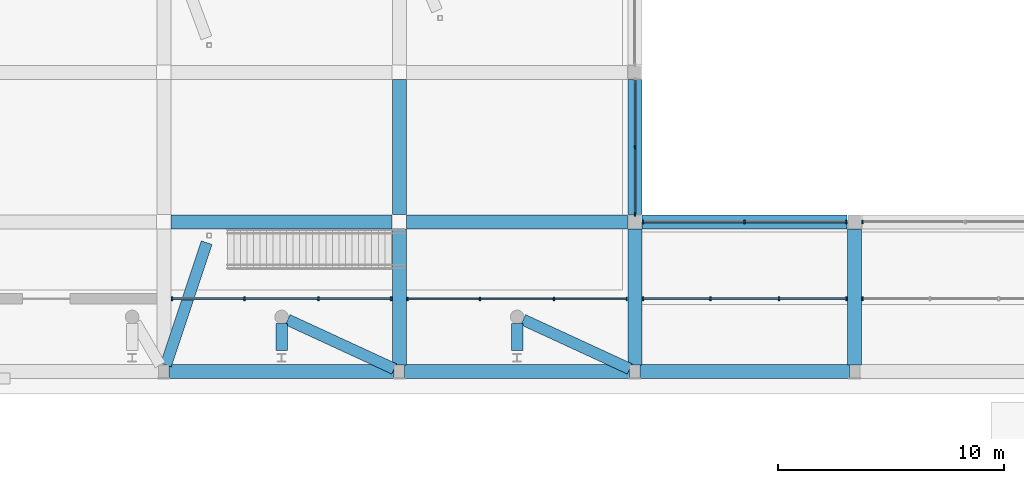
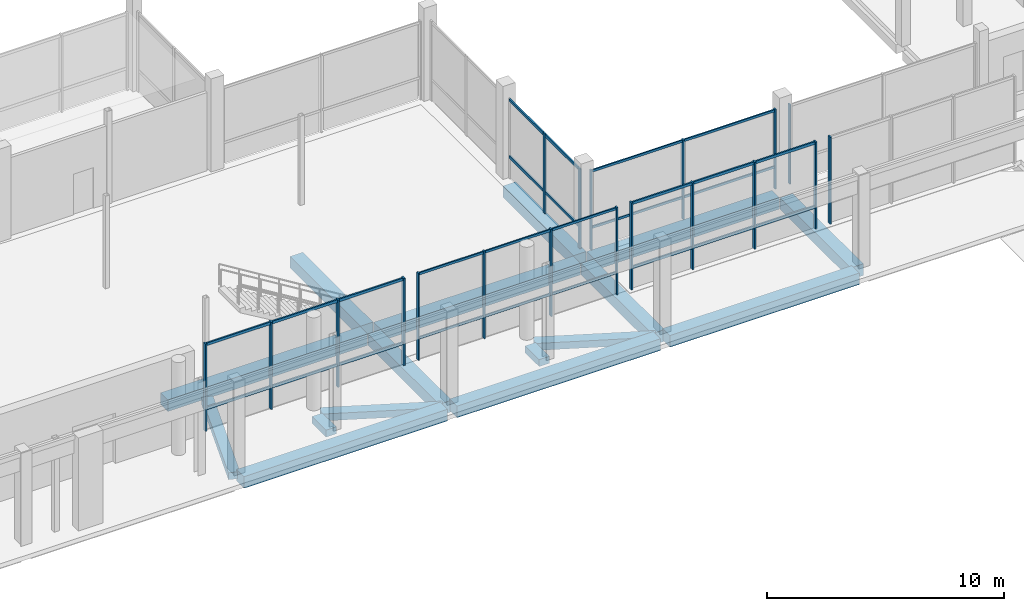
# One storey, part 29 of 88: 29 members, 16 beams, 7 elements without a shape of their own.
"""IFC4 building model written with IfcOpenShell, lengths in metres."""

import ifcopenshell
import ifcopenshell.guid

model = None  # the IFC model being written
_history = None  # IfcOwnerHistory: only IFC2X3 demands one
_inside = {}  # id of a spatial element -> (the spatial element, [elements in it])
_under = {}  # id of a project, library or spatial element -> (it, [spatial elements below it])
_declared = {}  # id of a project -> (the project, [libraries it declares])
_typed = {}  # id of a type object -> (the type object, [elements of that type])
_made_of = {}  # id of a material, layer set ... -> (it, [elements and type objects made of it])


def new_model(schema):
    """Start an empty IFC model of exactly this schema.

    Asked for "IFC4X3", IfcOpenShell would pick the latest addendum, in which some entities
    have other attributes; the version numbers below select the first issue.
    IFC2X3 requires an IfcOwnerHistory on every rooted entity: one is made here for all.
    """
    global model, _history
    if schema == "IFC4X3":
        model = ifcopenshell.file(schema_version=(4, 3, 0, 0))
    else:
        model = ifcopenshell.file(schema=schema)
    _inside.clear()
    _under.clear()
    _declared.clear()
    _typed.clear()
    _made_of.clear()
    _history = None
    if model.schema == "IFC2X3":
        org = make("IfcOrganization", Name="unknown")
        user = make(
            "IfcPersonAndOrganization",
            ThePerson=make("IfcPerson", FamilyName="unknown"),
            TheOrganization=org,
        )
        app = make(
            "IfcApplication",
            ApplicationDeveloper=org,
            Version="unknown",
            ApplicationFullName="unknown",
            ApplicationIdentifier="unknown",
        )
        _history = make(
            "IfcOwnerHistory",
            OwningUser=user,
            OwningApplication=app,
            ChangeAction="ADDED",
            CreationDate=0,
        )
    return model


def make(cls, **values):
    """One entity of the class cls with the attributes given. An attribute that is None is left unset."""
    return model.create_entity(
        cls, **{name: value for name, value in values.items() if value is not None}
    )


def rooted(cls, **values):
    """An entity with a GlobalId (a new one), such as an element, a storey or a relation."""
    return make(cls, GlobalId=ifcopenshell.guid.new(), OwnerHistory=_history, **values)


def si_unit(unit_type, name, prefix=None):
    """IfcSIUnit, for example si_unit("LENGTHUNIT", "METRE", prefix="MILLI")."""
    return make("IfcSIUnit", UnitType=unit_type, Prefix=prefix, Name=name)


def derived_unit(unit_type, elements):
    """IfcDerivedUnit: a product of units, each with its exponent."""
    return make(
        "IfcDerivedUnit",
        Elements=[
            make("IfcDerivedUnitElement", Unit=unit, Exponent=power)
            for unit, power in elements
        ],
        UnitType=unit_type,
    )


def assignment(units):
    """IfcUnitAssignment: the units of a project."""
    return None if units is None else make("IfcUnitAssignment", Units=units)


def point(xyz):
    """IfcCartesianPoint."""
    return None if xyz is None else make("IfcCartesianPoint", Coordinates=xyz)


def direction(xyz):
    """IfcDirection."""
    return None if xyz is None else make("IfcDirection", DirectionRatios=xyz)


def frame(location, z_axis=None, x_axis=None):
    """IfcAxis2Placement3D, a coordinate frame: its origin and axes. An axis left out is left unset."""
    return make(
        "IfcAxis2Placement3D",
        Location=point(location),
        Axis=direction(z_axis),
        RefDirection=direction(x_axis),
    )


def frame_2d(location, x_axis=None):
    """IfcAxis2Placement2D, a coordinate frame in the plane: its origin and x axis."""
    return make(
        "IfcAxis2Placement2D", Location=point(location), RefDirection=direction(x_axis)
    )


def origin():
    """The frame at (0, 0, 0) with its axes left unset."""
    return frame((0.0, 0.0, 0.0))


def origin_2d():
    """The frame at (0, 0) in the plane with its x axis left unset."""
    return frame_2d((0.0, 0.0))


def place(relative_to, where):
    """IfcLocalPlacement: puts the frame where relative to a parent placement (None: the world)."""
    return make(
        "IfcLocalPlacement", PlacementRelTo=relative_to, RelativePlacement=where
    )


def context(
    kind, dimensions, precision=None, world=None, true_north=None, identifier=None
):
    """IfcGeometricRepresentationContext, for example the 3D "Model" context."""
    return make(
        "IfcGeometricRepresentationContext",
        ContextIdentifier=identifier,
        ContextType=kind,
        CoordinateSpaceDimension=dimensions,
        Precision=precision,
        WorldCoordinateSystem=world,
        TrueNorth=true_north,
    )


def subcontext(parent, identifier, kind, view, scale=None):
    """IfcGeometricRepresentationSubContext, for example "Body" below "Model"."""
    return make(
        "IfcGeometricRepresentationSubContext",
        ContextIdentifier=identifier,
        ContextType=kind,
        ParentContext=parent,
        TargetScale=scale,
        TargetView=view,
    )


def project(units=None, contexts=None):
    """IfcProject with its units and contexts."""
    return rooted(
        "IfcProject",
        Name="project",
        RepresentationContexts=contexts,
        UnitsInContext=assignment(units),
    )


def spatial(cls, under=None, at=None, **own):
    """A site, building, storey or space (cls), placed at a placement, below another one or the project."""
    s = rooted(cls, ObjectPlacement=at, **own)
    if under is not None:
        _under.setdefault(under.id(), (under, []))[1].append(s)
    return s


def profile(cls, at=None, kind="AREA", **sizes):
    """A parametric profile (cls). Its sizes go by their IFC names, for example OverallWidth=200.0."""
    return make(cls, ProfileType=kind, Position=at, **sizes)


def rectangle(**sizes):
    """IfcRectangleProfileDef."""
    return profile("IfcRectangleProfileDef", **sizes)


def extrude(swept, where, along, depth):
    """IfcExtrudedAreaSolid: the profile swept, set in the frame where, extruded along a direction by depth."""
    return make(
        "IfcExtrudedAreaSolid",
        SweptArea=swept,
        Position=where,
        ExtrudedDirection=direction(along),
        Depth=depth,
    )


def shape(context_of_items, identifier, shape_type, items):
    """IfcShapeRepresentation: the items that make up one representation, for example the "Body"."""
    return make(
        "IfcShapeRepresentation",
        ContextOfItems=context_of_items,
        RepresentationIdentifier=identifier,
        RepresentationType=shape_type,
        Items=items,
    )


def material(Name=None, Category=None):
    """IfcMaterial."""
    return make("IfcMaterial", Name=Name, Category=Category)


def material_profile(
    of_material, cross_section, Name=None, Category=None, Priority=None
):
    """IfcMaterialProfile: a cross section and its material."""
    return make(
        "IfcMaterialProfile",
        Name=Name,
        Material=of_material,
        Profile=cross_section,
        Priority=Priority,
        Category=Category,
    )


def profile_set(profiles, Name=None, composite=None):
    """IfcMaterialProfileSet."""
    return make(
        "IfcMaterialProfileSet",
        Name=Name,
        MaterialProfiles=profiles,
        CompositeProfile=composite,
    )


def made_of(thing, what):
    """Note that an element or type object is made of a material, layer set ...; save() writes the relation."""
    if what is not None:
        _made_of.setdefault(what.id(), (what, []))[1].append(thing)
    return thing


def type_object(cls, material=None, **own):
    """A type object (cls), such as IfcWallType, which elements share."""
    return made_of(rooted(cls, **own), material)


def element(
    cls,
    number,
    at=None,
    inside=None,
    cuts=None,
    type_object=None,
    material=None,
    context=None,
    identifier="Body",
    shape_type=None,
    held_by="IfcProductDefinitionShape",
    body=None,
    shapes=None,
    **own,
):
    """One element of the class cls, such as IfcWall. Its Tag is "e" and its number.

    at: its placement. inside: the storey or other place that contains it. cuts: it is an
    opening in that element (IfcRelVoidsElement). A single representation is given by context,
    identifier, shape_type and body (its items); several are given by shapes. held_by: the class
    of the entity that holds the representations. save() writes the other relations.
    """
    e = rooted(cls, Tag="e%d" % number, ObjectPlacement=at, **own)
    if body is not None:
        shapes = [shape(context, identifier, shape_type, body)]
    if shapes is not None:
        e.Representation = make(held_by, Representations=shapes)
    if inside is not None:
        _inside.setdefault(inside.id(), (inside, []))[1].append(e)
    if cuts is not None:
        rooted(
            "IfcRelVoidsElement", RelatingBuildingElement=cuts, RelatedOpeningElement=e
        )
    if type_object is not None:
        _typed.setdefault(type_object.id(), (type_object, []))[1].append(e)
    return made_of(e, material)


def aggregate(whole, parts):
    """IfcRelAggregates: a whole, such as a stair, and the parts it consists of."""
    return rooted("IfcRelAggregates", RelatingObject=whole, RelatedObjects=parts)


def save(model, path):
    """Write the relations noted so far, then the file.

    IfcRelAggregates (storeys below a building ...), IfcRelContainedInSpatialStructure (elements
    in a storey), IfcRelDefinesByType, IfcRelAssociatesMaterial and IfcRelDeclares: one each for
    every whole, place, type object, material and project.
    """
    for whole, parts in _under.values():
        aggregate(whole, parts)
    for where, things in _inside.values():
        rooted(
            "IfcRelContainedInSpatialStructure",
            RelatedElements=things,
            RelatingStructure=where,
        )
    for kind, things in _typed.values():
        rooted("IfcRelDefinesByType", RelatedObjects=things, RelatingType=kind)
    for what, things in _made_of.values():
        rooted("IfcRelAssociatesMaterial", RelatedObjects=things, RelatingMaterial=what)
    for by, libraries in _declared.values():
        rooted("IfcRelDeclares", RelatingContext=by, RelatedDefinitions=libraries)
    model.write(path)


model = new_model("IFC4")

# Units and contexts
model_context = context("Model", 3, precision=1e-05, world=origin(), true_north=direction((0.0, 1.0)))
body_context = subcontext(model_context, "Body", "Model", "MODEL_VIEW")
ifc_project = project(units=[si_unit("LENGTHUNIT", "METRE"), si_unit("AREAUNIT", "SQUARE_METRE"), si_unit("VOLUMEUNIT", "CUBIC_METRE"), si_unit("PLANEANGLEUNIT", "RADIAN"), si_unit("MASSUNIT", "GRAM", prefix="KILO"), derived_unit("THERMALTRANSMITTANCEUNIT", [(si_unit("POWERUNIT", "WATT"), 1), (si_unit("LENGTHUNIT", "METRE"), -2), (si_unit("THERMODYNAMICTEMPERATUREUNIT", "KELVIN"), -1)])], contexts=[model_context])

# Site, building, storey
site_placement = place(None, origin())
site = spatial("IfcSite", under=ifc_project, at=site_placement, CompositionType="ELEMENT")
building_placement = place(site_placement, origin())
building = spatial("IfcBuilding", under=site, at=building_placement, Name="Braskholm Square Health Centre", CompositionType="ELEMENT")
storey_placement = place(building_placement, origin())
storey = spatial("IfcBuildingStorey", under=building, at=storey_placement, Name="L01", CompositionType="ELEMENT", Elevation=0.0)

# Curtain wall, members
ifc_material_1 = material(Name="Low-E triple insulating glass (VLT 0.64)", Category="glass")
curtain_wall_type_1 = type_object("IfcCurtainWallType", Name="UnitisedCurtainWall6200x4400", PredefinedType="NOTDEFINED", material=ifc_material_1)
curtain_wall_1_placement = place(storey_placement, origin())
curtain_wall_1 = element("IfcCurtainWall", 1, at=curtain_wall_1_placement, inside=storey, type_object=curtain_wall_type_1, Name="Hall Arcade unitised curtain wall CW-L01-0198", PredefinedType="NOTDEFINED")
ifc_material_2 = material(Name="Architectural bronze anodised aluminium", Category="aluminium")
ifc_material_profile_1 = material_profile(ifc_material_2, rectangle(XDim=0.06494140625, YDim=0.14990234375, at=origin_2d()), Name="ALU-65X150")
ifc_profile_set_1 = profile_set([ifc_material_profile_1], Name="Architectural bronze anodised aluminium")
member_type_1 = type_object("IfcMemberType", Name="CurtainWallMullion65x150", PredefinedType="MULLION", material=ifc_profile_set_1)
member_1_placement = place(storey_placement, frame((110.35888671875, 90.39990234375, 0.0), z_axis=(0.0, 0.0, 1.0), x_axis=(1.0, 0.0, 0.0)))
member_1 = element("IfcMember", 2, at=member_1_placement, type_object=member_type_1, Name="CW-L01-0198 vertical mullion 1", PredefinedType="MULLION", context=body_context, shape_type="SweptSolid", body=[
    extrude(rectangle(XDim=0.06494140625, YDim=0.14990234375, at=origin_2d()), origin(), (0.0, 0.0, 1.0), 4.5),
])
member_2_placement = place(storey_placement, frame((113.566650390625, 90.39990234375, 0.0), z_axis=(0.0, 0.0, 1.0), x_axis=(1.0, 0.0, 0.0)))
member_2 = element("IfcMember", 3, at=member_2_placement, type_object=member_type_1, Name="CW-L01-0198 vertical mullion 2", PredefinedType="MULLION", context=body_context, shape_type="SweptSolid", body=[
    extrude(rectangle(XDim=0.06494140625, YDim=0.14990234375, at=origin_2d()), origin(), (0.0, 0.0, 1.0), 4.5),
])
member_3_placement = place(storey_placement, frame((116.833251953125, 90.39990234375, 0.0), z_axis=(0.0, 0.0, 1.0), x_axis=(1.0, 0.0, 0.0)))
member_3 = element("IfcMember", 4, at=member_3_placement, type_object=member_type_1, Name="CW-L01-0198 vertical mullion 3", PredefinedType="MULLION", context=body_context, shape_type="SweptSolid", body=[
    extrude(rectangle(XDim=0.06494140625, YDim=0.14990234375, at=origin_2d()), origin(), (0.0, 0.0, 1.0), 4.5),
])
member_4_placement = place(storey_placement, frame((120.041259765625, 90.39990234375, 0.0), z_axis=(0.0, 0.0, 1.0), x_axis=(1.0, 0.0, 0.0)))
member_4 = element("IfcMember", 5, at=member_4_placement, type_object=member_type_1, Name="CW-L01-0198 vertical mullion 4", PredefinedType="MULLION", context=body_context, shape_type="SweptSolid", body=[
    extrude(rectangle(XDim=0.06494140625, YDim=0.14990234375, at=origin_2d()), origin(), (0.0, 0.0, 1.0), 4.5),
])

curtain_wall_type_2 = type_object("IfcCurtainWallType", Name="UnitisedCurtainWall6200x4100", PredefinedType="NOTDEFINED", material=ifc_material_1)
curtain_wall_2_placement = place(storey_placement, origin())
curtain_wall_2 = element("IfcCurtainWall", 6, at=curtain_wall_2_placement, inside=storey, type_object=curtain_wall_type_2, Name="Portal North L01 unitised curtain wall CW-L01-0204", PredefinedType="NOTDEFINED")
member_5_placement = place(storey_placement, frame((129.743408203125, 93.800048828125, 0.0), z_axis=(0.0, 0.0, 1.0), x_axis=(1.0, 0.0, 0.0)))
member_5 = element("IfcMember", 7, at=member_5_placement, type_object=member_type_1, Name="CW-L01-0204 vertical mullion 1", PredefinedType="MULLION", context=body_context, shape_type="SweptSolid", body=[
    extrude(rectangle(XDim=0.06494140625, YDim=0.14990234375, at=origin_2d()), origin(), (0.0, 0.0, 1.0), 4.10009765625),
])
member_6_placement = place(storey_placement, frame((125.25, 93.800048828125, 0.0), z_axis=(0.0, 0.0, 1.0), x_axis=(1.0, 0.0, 0.0)))
member_6 = element("IfcMember", 8, at=member_6_placement, type_object=member_type_1, Name="CW-L01-0204 vertical mullion 2", PredefinedType="MULLION", context=body_context, shape_type="SweptSolid", body=[
    extrude(rectangle(XDim=0.06494140625, YDim=0.14990234375, at=origin_2d()), origin(), (0.0, 0.0, 1.0), 4.10009765625),
])
member_7_placement = place(storey_placement, frame((120.756591796875, 93.800048828125, 0.0), z_axis=(0.0, 0.0, 1.0), x_axis=(1.0, 0.0, 0.0)))
member_7 = element("IfcMember", 9, at=member_7_placement, type_object=member_type_1, Name="CW-L01-0204 vertical mullion 3", PredefinedType="MULLION", context=body_context, shape_type="SweptSolid", body=[
    extrude(rectangle(XDim=0.06494140625, YDim=0.14990234375, at=origin_2d()), origin(), (0.0, 0.0, 1.0), 4.10009765625),
])

# Curtain wall, member
curtain_wall_3_placement = place(storey_placement, origin())
curtain_wall_3 = element("IfcCurtainWall", 10, at=curtain_wall_3_placement, inside=storey, type_object=curtain_wall_type_2, Name="Portal North L01 unitised curtain wall CW-L01-0210", PredefinedType="NOTDEFINED")
member_8_placement = place(storey_placement, frame((130.45703125, 93.800048828125, 0.0), z_axis=(0.0, 0.0, 1.0), x_axis=(1.0, 0.0, 0.0)))
member_8 = element("IfcMember", 11, at=member_8_placement, type_object=member_type_1, Name="CW-L01-0210 vertical mullion 3", PredefinedType="MULLION", context=body_context, shape_type="SweptSolid", body=[
    extrude(rectangle(XDim=0.06494140625, YDim=0.14990234375, at=origin_2d()), origin(), (0.0, 0.0, 1.0), 4.10009765625),
])
aggregate(curtain_wall_3, [member_8])

# Curtain wall, members
curtain_wall_4_placement = place(storey_placement, origin())
curtain_wall_4 = element("IfcCurtainWall", 12, at=curtain_wall_4_placement, inside=storey, type_object=curtain_wall_type_1, Name="Hall Arcade unitised curtain wall CW-L01-0195", PredefinedType="NOTDEFINED")
ifc_material_profile_2 = material_profile(ifc_material_2, rectangle(XDim=0.074951171875, YDim=0.179931640625, at=origin_2d()), Name="ALU-75X180")
ifc_profile_set_2 = profile_set([ifc_material_profile_2], Name="Architectural bronze anodised aluminium")
member_type_2 = type_object("IfcMemberType", Name="CurtainWallMullion75x180", PredefinedType="MULLION", material=ifc_profile_set_2)
member_9_placement = place(storey_placement, frame((99.958740234375, 90.39990234375, 0.0), z_axis=(0.0, 0.0, 1.0), x_axis=(1.0, 0.0, 0.0)))
member_9 = element("IfcMember", 13, at=member_9_placement, type_object=member_type_2, Name="CW-L01-0195 vertical mullion 1", PredefinedType="MULLION", context=body_context, shape_type="SweptSolid", body=[
    extrude(rectangle(XDim=0.074951171875, YDim=0.179931640625, at=origin_2d()), origin(), (0.0, 0.0, 1.0), 4.5),
])
member_10_placement = place(storey_placement, frame((103.166748046875, 90.39990234375, 0.0), z_axis=(0.0, 0.0, 1.0), x_axis=(1.0, 0.0, 0.0)))
member_10 = element("IfcMember", 14, at=member_10_placement, type_object=member_type_2, Name="CW-L01-0195 vertical mullion 2", PredefinedType="MULLION", context=body_context, shape_type="SweptSolid", body=[
    extrude(rectangle(XDim=0.074951171875, YDim=0.179931640625, at=origin_2d()), origin(), (0.0, 0.0, 1.0), 4.5),
])
member_11_placement = place(storey_placement, frame((106.433349609375, 90.39990234375, 0.0), z_axis=(0.0, 0.0, 1.0), x_axis=(1.0, 0.0, 0.0)))
member_11 = element("IfcMember", 15, at=member_11_placement, type_object=member_type_2, Name="CW-L01-0195 vertical mullion 3", PredefinedType="MULLION", context=body_context, shape_type="SweptSolid", body=[
    extrude(rectangle(XDim=0.074951171875, YDim=0.179931640625, at=origin_2d()), origin(), (0.0, 0.0, 1.0), 4.5),
])
member_12_placement = place(storey_placement, frame((109.64111328125, 90.39990234375, 0.0), z_axis=(0.0, 0.0, 1.0), x_axis=(1.0, 0.0, 0.0)))
member_12 = element("IfcMember", 16, at=member_12_placement, type_object=member_type_2, Name="CW-L01-0195 vertical mullion 4", PredefinedType="MULLION", context=body_context, shape_type="SweptSolid", body=[
    extrude(rectangle(XDim=0.074951171875, YDim=0.179931640625, at=origin_2d()), origin(), (0.0, 0.0, 1.0), 4.5),
])

curtain_wall_5_placement = place(storey_placement, origin())
curtain_wall_5 = element("IfcCurtainWall", 17, at=curtain_wall_5_placement, inside=storey, type_object=curtain_wall_type_1, Name="Hall Arcade unitised curtain wall CW-L01-0201", PredefinedType="NOTDEFINED")
member_13_placement = place(storey_placement, frame((120.754638671875, 90.39990234375, 0.0), z_axis=(0.0, 0.0, 1.0), x_axis=(1.0, 0.0, 0.0)))
member_13 = element("IfcMember", 18, at=member_13_placement, type_object=member_type_2, Name="CW-L01-0201 vertical mullion 1", PredefinedType="MULLION", context=body_context, shape_type="SweptSolid", body=[
    extrude(rectangle(XDim=0.074951171875, YDim=0.179931640625, at=origin_2d()), origin(), (0.0, 0.0, 1.0), 4.5),
])
member_14_placement = place(storey_placement, frame((123.7333984375, 90.39990234375, 0.0), z_axis=(0.0, 0.0, 1.0), x_axis=(1.0, 0.0, 0.0)))
member_14 = element("IfcMember", 19, at=member_14_placement, type_object=member_type_2, Name="CW-L01-0201 vertical mullion 2", PredefinedType="MULLION", context=body_context, shape_type="SweptSolid", body=[
    extrude(rectangle(XDim=0.074951171875, YDim=0.179931640625, at=origin_2d()), origin(), (0.0, 0.0, 1.0), 4.5),
])
member_15_placement = place(storey_placement, frame((126.7666015625, 90.39990234375, 0.0), z_axis=(0.0, 0.0, 1.0), x_axis=(1.0, 0.0, 0.0)))
member_15 = element("IfcMember", 20, at=member_15_placement, type_object=member_type_2, Name="CW-L01-0201 vertical mullion 3", PredefinedType="MULLION", context=body_context, shape_type="SweptSolid", body=[
    extrude(rectangle(XDim=0.074951171875, YDim=0.179931640625, at=origin_2d()), origin(), (0.0, 0.0, 1.0), 4.5),
])
member_16_placement = place(storey_placement, frame((129.745361328125, 90.39990234375, 0.0), z_axis=(0.0, 0.0, 1.0), x_axis=(1.0, 0.0, 0.0)))
member_16 = element("IfcMember", 21, at=member_16_placement, type_object=member_type_2, Name="CW-L01-0201 vertical mullion 4", PredefinedType="MULLION", context=body_context, shape_type="SweptSolid", body=[
    extrude(rectangle(XDim=0.074951171875, YDim=0.179931640625, at=origin_2d()), origin(), (0.0, 0.0, 1.0), 4.5),
])

# Curtain wall, member
curtain_wall_6_placement = place(storey_placement, origin())
curtain_wall_6 = element("IfcCurtainWall", 22, at=curtain_wall_6_placement, inside=storey, type_object=curtain_wall_type_1, Name="Hall Arcade unitised curtain wall CW-L01-0207", PredefinedType="NOTDEFINED")
member_17_placement = place(storey_placement, frame((130.45458984375, 90.39990234375, 0.0), z_axis=(0.0, 0.0, 1.0), x_axis=(1.0, 0.0, 0.0)))
member_17 = element("IfcMember", 23, at=member_17_placement, type_object=member_type_2, Name="CW-L01-0207 vertical mullion 1", PredefinedType="MULLION", context=body_context, shape_type="SweptSolid", body=[
    extrude(rectangle(XDim=0.074951171875, YDim=0.179931640625, at=origin_2d()), origin(), (0.0, 0.0, 1.0), 4.5),
])
aggregate(curtain_wall_6, [member_17])

# Curtain wall, members
curtain_wall_7_placement = place(storey_placement, origin())
curtain_wall_7 = element("IfcCurtainWall", 24, at=curtain_wall_7_placement, inside=storey, type_object=curtain_wall_type_2, Name="Hall Cheek L01 unitised curtain wall CW-L01-0219", PredefinedType="NOTDEFINED")
member_18_placement = place(storey_placement, frame((120.39990234375, 94.135986328125, 0.0), z_axis=(0.0, 0.0, 1.0), x_axis=(1.0, 0.0, 0.0)))
member_18 = element("IfcMember", 25, at=member_18_placement, type_object=member_type_2, Name="CW-L01-0219 vertical mullion 1", PredefinedType="MULLION", context=body_context, shape_type="SweptSolid", body=[
    extrude(rectangle(XDim=0.074951171875, YDim=0.179931640625, at=origin_2d()), origin(), (0.0, 0.0, 1.0), 4.1201171875),
])
member_19_placement = place(storey_placement, frame((120.39990234375, 97.10009765625, 0.0), z_axis=(0.0, 0.0, 1.0), x_axis=(1.0, 0.0, 0.0)))
member_19 = element("IfcMember", 26, at=member_19_placement, type_object=member_type_2, Name="CW-L01-0219 vertical mullion 2", PredefinedType="MULLION", context=body_context, shape_type="SweptSolid", body=[
    extrude(rectangle(XDim=0.074951171875, YDim=0.179931640625, at=origin_2d()), origin(), (0.0, 0.0, 1.0), 4.1201171875),
])

# Member
ifc_material_profile_3 = material_profile(ifc_material_2, rectangle(XDim=0.06494140625, YDim=0.1201171875, at=origin_2d()), Name="ALU-65X120")
ifc_profile_set_3 = profile_set([ifc_material_profile_3], Name="Architectural bronze anodised aluminium")
member_type_3 = type_object("IfcMemberType", Name="CurtainWallTransom65x120", PredefinedType="USERDEFINED", material=ifc_profile_set_3)
member_20_placement = place(storey_placement, frame((110.344970703125, 90.39990234375, 1.1201171875), z_axis=(1.0, 0.0, 0.0), x_axis=(0.0, 1.0, 0.0)))
member_20 = element("IfcMember", 27, at=member_20_placement, type_object=member_type_3, Name="CW-L01-0198 horizontal transom 1", ObjectType="TRANSOM", PredefinedType="USERDEFINED", context=body_context, shape_type="SweptSolid", body=[
    extrude(rectangle(XDim=0.06494140625, YDim=0.1201171875, at=origin_2d()), origin(), (0.0, 0.0, 1.0), 9.7099609375),
])

member_21_placement = place(storey_placement, frame((110.344970703125, 90.39990234375, 4.429931640625), z_axis=(1.0, 0.0, 0.0), x_axis=(0.0, 1.0, 0.0)))
member_21 = element("IfcMember", 28, at=member_21_placement, type_object=member_type_3, Name="CW-L01-0198 horizontal transom 2", ObjectType="TRANSOM", PredefinedType="USERDEFINED", context=body_context, shape_type="SweptSolid", body=[
    extrude(rectangle(XDim=0.06494140625, YDim=0.1201171875, at=origin_2d()), origin(), (0.0, 0.0, 1.0), 9.7099609375),
])

aggregate(curtain_wall_1, [member_1, member_2, member_3, member_4, member_20, member_21])

member_22_placement = place(storey_placement, frame((129.7529296875, 93.800048828125, 1.1201171875), z_axis=(-1.0, 0.0, 0.0), x_axis=(0.0, -1.0, 0.0)))
member_22 = element("IfcMember", 29, at=member_22_placement, type_object=member_type_3, Name="CW-L01-0204 horizontal transom 1", ObjectType="TRANSOM", PredefinedType="USERDEFINED", context=body_context, shape_type="SweptSolid", body=[
    extrude(rectangle(XDim=0.06494140625, YDim=0.1201171875, at=origin_2d()), origin(), (0.0, 0.0, 1.0), 9.005859375),
])

member_23_placement = place(storey_placement, frame((129.7529296875, 93.800048828125, 4.030029296875), z_axis=(-1.0, 0.0, 0.0), x_axis=(0.0, -1.0, 0.0)))
member_23 = element("IfcMember", 30, at=member_23_placement, type_object=member_type_3, Name="CW-L01-0204 horizontal transom 2", ObjectType="TRANSOM", PredefinedType="USERDEFINED", context=body_context, shape_type="SweptSolid", body=[
    extrude(rectangle(XDim=0.06494140625, YDim=0.1201171875, at=origin_2d()), origin(), (0.0, 0.0, 1.0), 9.005859375),
])

aggregate(curtain_wall_2, [member_5, member_6, member_7, member_22, member_23])

ifc_material_profile_4 = material_profile(ifc_material_2, rectangle(XDim=0.074951171875, YDim=0.139892578125, at=origin_2d()), Name="ALU-75X140")
ifc_profile_set_4 = profile_set([ifc_material_profile_4], Name="Architectural bronze anodised aluminium")
member_type_4 = type_object("IfcMemberType", Name="CurtainWallTransom75x140", PredefinedType="USERDEFINED", material=ifc_profile_set_4)
member_24_placement = place(storey_placement, frame((99.945068359375, 90.39990234375, 1.1201171875), z_axis=(1.0, 0.0, 0.0), x_axis=(0.0, 1.0, 0.0)))
member_24 = element("IfcMember", 31, at=member_24_placement, type_object=member_type_4, Name="CW-L01-0195 horizontal transom 1", ObjectType="TRANSOM", PredefinedType="USERDEFINED", context=body_context, shape_type="SweptSolid", body=[
    extrude(rectangle(XDim=0.074951171875, YDim=0.139892578125, at=origin_2d()), origin(), (0.0, 0.0, 1.0), 9.7099609375),
])

member_25_placement = place(storey_placement, frame((99.945068359375, 90.39990234375, 4.429931640625), z_axis=(1.0, 0.0, 0.0), x_axis=(0.0, 1.0, 0.0)))
member_25 = element("IfcMember", 32, at=member_25_placement, type_object=member_type_4, Name="CW-L01-0195 horizontal transom 2", ObjectType="TRANSOM", PredefinedType="USERDEFINED", context=body_context, shape_type="SweptSolid", body=[
    extrude(rectangle(XDim=0.074951171875, YDim=0.139892578125, at=origin_2d()), origin(), (0.0, 0.0, 1.0), 9.7099609375),
])

aggregate(curtain_wall_4, [member_9, member_10, member_11, member_12, member_24, member_25])

member_26_placement = place(storey_placement, frame((120.7451171875, 90.39990234375, 1.1201171875), z_axis=(1.0, 0.0, 0.0), x_axis=(0.0, 1.0, 0.0)))
member_26 = element("IfcMember", 33, at=member_26_placement, type_object=member_type_4, Name="CW-L01-0201 horizontal transom 1", ObjectType="TRANSOM", PredefinedType="USERDEFINED", context=body_context, shape_type="SweptSolid", body=[
    extrude(rectangle(XDim=0.074951171875, YDim=0.139892578125, at=origin_2d()), origin(), (0.0, 0.0, 1.0), 9.009765625),
])

member_27_placement = place(storey_placement, frame((120.7451171875, 90.39990234375, 4.429931640625), z_axis=(1.0, 0.0, 0.0), x_axis=(0.0, 1.0, 0.0)))
member_27 = element("IfcMember", 34, at=member_27_placement, type_object=member_type_4, Name="CW-L01-0201 horizontal transom 2", ObjectType="TRANSOM", PredefinedType="USERDEFINED", context=body_context, shape_type="SweptSolid", body=[
    extrude(rectangle(XDim=0.074951171875, YDim=0.139892578125, at=origin_2d()), origin(), (0.0, 0.0, 1.0), 9.009765625),
])

aggregate(curtain_wall_5, [member_13, member_14, member_15, member_16, member_26, member_27])

member_28_placement = place(storey_placement, frame((120.39990234375, 94.14501953125, 1.1201171875), z_axis=(0.0, 1.0, 0.0), x_axis=(-1.0, 0.0, 0.0)))
member_28 = element("IfcMember", 35, at=member_28_placement, type_object=member_type_4, Name="CW-L01-0219 horizontal transom 1", ObjectType="TRANSOM", PredefinedType="USERDEFINED", context=body_context, shape_type="SweptSolid", body=[
    extrude(rectangle(XDim=0.074951171875, YDim=0.139892578125, at=origin_2d()), origin(), (0.0, 0.0, 1.0), 5.909912109375),
])

member_29_placement = place(storey_placement, frame((120.39990234375, 94.14501953125, 4.050048828125), z_axis=(0.0, 1.0, 0.0), x_axis=(-1.0, 0.0, 0.0)))
member_29 = element("IfcMember", 36, at=member_29_placement, type_object=member_type_4, Name="CW-L01-0219 horizontal transom 2", ObjectType="TRANSOM", PredefinedType="USERDEFINED", context=body_context, shape_type="SweptSolid", body=[
    extrude(rectangle(XDim=0.074951171875, YDim=0.139892578125, at=origin_2d()), origin(), (0.0, 0.0, 1.0), 5.909912109375),
])

aggregate(curtain_wall_7, [member_18, member_19, member_28, member_29])

# Beams
ifc_material_3 = material(Name="Concrete C35/45 (f'c = 35 MPa)", Category="concrete")
ifc_material_profile_5 = material_profile(ifc_material_3, rectangle(XDim=0.5, YDim=0.360107421875, at=origin_2d()), Name="RCB-500X360")
ifc_profile_set_5 = profile_set([ifc_material_profile_5], Name="Concrete C35/45 (f'c = 35 MPa)")
beam_type_1 = type_object("IfcBeamType", Name="PrimaryBandBeam500x360", PredefinedType="BEAM", material=ifc_profile_set_5)
for number, where, z_axis, x_axis, name in (
    (37, (105.070556640625, 89.47509765625, -0.405029296875), (0.907966284726, -0.419043226649, 0.0), (0.419043226649, 0.907966284726, 0.0), "Tie beam RC05 L01"),
    (38, (115.470703125, 89.47509765625, -0.405029296875), (0.907966284726, -0.419043226649, 0.0), (0.419043226649, 0.907966284726, 0.0), "Tie beam RC06 L01"),
):
    element("IfcBeam", number, at=place(storey_placement, frame(where, z_axis=z_axis, x_axis=x_axis)), inside=storey, type_object=beam_type_1, Name=name, PredefinedType="BEAM", context=body_context, shape_type="SweptSolid", body=[
        extrude(rectangle(XDim=0.5, YDim=0.360107421875, at=origin_2d()), origin(), (0.0, 0.0, 1.0), 5.177734375),
    ])
for number, where, z_axis, x_axis, name in (
    (39, (104.800048828125, 88.123046875, -0.405029296875), (0.0, 1.0, 0.0), (-1.0, 0.0, 0.0), "Tie beam CS1E L01"),
    (40, (115.199951171875, 88.123046875, -0.405029296875), (0.0, 1.0, 0.0), (-1.0, 0.0, 0.0), "Tie beam CS1F L01"),
):
    element("IfcBeam", number, at=place(storey_placement, frame(where, z_axis=z_axis, x_axis=x_axis)), inside=storey, type_object=beam_type_1, Name=name, PredefinedType="BEAM", context=body_context, shape_type="SweptSolid", body=[
        extrude(rectangle(XDim=0.5, YDim=0.360107421875, at=origin_2d()), origin(), (0.0, 0.0, 1.0), 1.178955078125),
    ])
beam_1_placement = place(storey_placement, frame((101.4921875, 92.876953125, -0.47998046875), z_axis=(-0.316214896029, -0.94868758795, 0.0), x_axis=(0.94868758795, -0.316214896029, 0.0)))
element("IfcBeam", 41, at=beam_1_placement, inside=storey, type_object=beam_type_1, Name="Tie beam CS3B L01", PredefinedType="BEAM", context=body_context, shape_type="SweptSolid", body=[
    extrude(rectangle(XDim=0.5, YDim=0.360107421875, at=origin_2d()), origin(), (0.0, 0.0, 1.0), 5.69091796875),
])
ifc_material_4 = material(Name="Concrete C40/50 (f'c = 40 MPa)", Category="concrete")
ifc_material_profile_6 = material_profile(ifc_material_4, rectangle(XDim=0.6201171875, YDim=0.60009765625, at=origin_2d()), Name="RCB-620X600")
ifc_profile_set_6 = profile_set([ifc_material_profile_6], Name="Concrete C40/50 (f'c = 40 MPa)")
beam_type_2 = type_object("IfcBeamType", Name="PrimarySubstructureBeam620x600", PredefinedType="BEAM", material=ifc_profile_set_6)
beam_2_placement = place(storey_placement, frame((110.0, 87.47998046875, -0.60009765625), z_axis=(0.0, 1.0, 0.0), x_axis=(-1.0, 0.0, 0.0)))
element("IfcBeam", 42, at=beam_2_placement, inside=storey, type_object=beam_type_2, Name="Beam 14/N-P L01", PredefinedType="BEAM", context=body_context, shape_type="SweptSolid", body=[
    extrude(rectangle(XDim=0.6201171875, YDim=0.60009765625, at=origin_2d()), origin(), (0.0, 0.0, 1.0), 5.9951171875),
])
beam_3_placement = place(storey_placement, frame((110.0, 94.125, -0.60009765625), z_axis=(0.0, 1.0, 0.0), x_axis=(-1.0, 0.0, 0.0)))
element("IfcBeam", 43, at=beam_3_placement, inside=storey, type_object=beam_type_2, Name="Beam 14/P-Q L01", PredefinedType="BEAM", context=body_context, shape_type="SweptSolid", body=[
    extrude(rectangle(XDim=0.6201171875, YDim=0.60009765625, at=origin_2d()), origin(), (0.0, 0.0, 1.0), 5.949951171875),
])
beam_4_placement = place(storey_placement, frame((120.39990234375, 87.47998046875, -0.60009765625), z_axis=(0.0, 1.0, 0.0), x_axis=(-1.0, 0.0, 0.0)))
element("IfcBeam", 44, at=beam_4_placement, inside=storey, type_object=beam_type_2, Name="Beam 15/N-P L01", PredefinedType="BEAM", context=body_context, shape_type="SweptSolid", body=[
    extrude(rectangle(XDim=0.6201171875, YDim=0.60009765625, at=origin_2d()), origin(), (0.0, 0.0, 1.0), 5.9951171875),
])
beam_5_placement = place(storey_placement, frame((120.39990234375, 94.125, -0.60009765625), z_axis=(0.0, 1.0, 0.0), x_axis=(-1.0, 0.0, 0.0)))
element("IfcBeam", 45, at=beam_5_placement, inside=storey, type_object=beam_type_2, Name="Beam 15/P-Q L01", PredefinedType="BEAM", context=body_context, shape_type="SweptSolid", body=[
    extrude(rectangle(XDim=0.6201171875, YDim=0.60009765625, at=origin_2d()), origin(), (0.0, 0.0, 1.0), 5.949951171875),
])
beam_6_placement = place(storey_placement, frame((130.10009765625, 87.47998046875, -0.60009765625), z_axis=(0.0, 1.0, 0.0), x_axis=(-1.0, 0.0, 0.0)))
element("IfcBeam", 46, at=beam_6_placement, inside=storey, type_object=beam_type_2, Name="Beam 16/N-P L01", PredefinedType="BEAM", context=body_context, shape_type="SweptSolid", body=[
    extrude(rectangle(XDim=0.6201171875, YDim=0.60009765625, at=origin_2d()), origin(), (0.0, 0.0, 1.0), 5.9951171875),
])
for number, where, z_axis, x_axis, name in (
    (47, (99.830078125, 87.199951171875, -0.52490234375), (1.0, 0.0, 0.0), (0.0, 1.0, 0.0), "Beam 13-14/N L01"),
    (48, (110.22998046875, 87.199951171875, -0.52490234375), (1.0, 0.0, 0.0), (0.0, 1.0, 0.0), "Beam 14-15/N L01"),
):
    element("IfcBeam", number, at=place(storey_placement, frame(where, z_axis=z_axis, x_axis=x_axis)), inside=storey, type_object=beam_type_2, Name=name, PredefinedType="BEAM", context=body_context, shape_type="SweptSolid", body=[
        extrude(rectangle(XDim=0.6201171875, YDim=0.60009765625, at=origin_2d()), origin(), (0.0, 0.0, 1.0), 9.93994140625),
    ])
beam_7_placement = place(storey_placement, frame((120.6298828125, 87.199951171875, -0.52490234375), z_axis=(1.0, 0.0, 0.0), x_axis=(0.0, 1.0, 0.0)))
element("IfcBeam", 49, at=beam_7_placement, inside=storey, type_object=beam_type_2, Name="Beam 15-16/N L01", PredefinedType="BEAM", context=body_context, shape_type="SweptSolid", body=[
    extrude(rectangle(XDim=0.6201171875, YDim=0.60009765625, at=origin_2d()), origin(), (0.0, 0.0, 1.0), 9.240234375),
])
for number, where, z_axis, x_axis, name in (
    (50, (99.925048828125, 93.800048828125, -0.60009765625), (1.0, 0.0, 0.0), (0.0, 1.0, 0.0), "Beam 13-14/P L01"),
    (51, (110.324951171875, 93.800048828125, -0.60009765625), (1.0, 0.0, 0.0), (0.0, 1.0, 0.0), "Beam 14-15/P L01"),
):
    element("IfcBeam", number, at=place(storey_placement, frame(where, z_axis=z_axis, x_axis=x_axis)), inside=storey, type_object=beam_type_2, Name=name, PredefinedType="BEAM", context=body_context, shape_type="SweptSolid", body=[
        extrude(rectangle(XDim=0.6201171875, YDim=0.60009765625, at=origin_2d()), origin(), (0.0, 0.0, 1.0), 9.75),
    ])
beam_8_placement = place(storey_placement, frame((120.72509765625, 93.800048828125, -0.60009765625), z_axis=(1.0, 0.0, 0.0), x_axis=(0.0, 1.0, 0.0)))
element("IfcBeam", 52, at=beam_8_placement, inside=storey, type_object=beam_type_2, Name="Beam 15-16/P L01", PredefinedType="BEAM", context=body_context, shape_type="SweptSolid", body=[
    extrude(rectangle(XDim=0.6201171875, YDim=0.60009765625, at=origin_2d()), origin(), (0.0, 0.0, 1.0), 9.0498046875),
])

save(model, "model.ifc")
